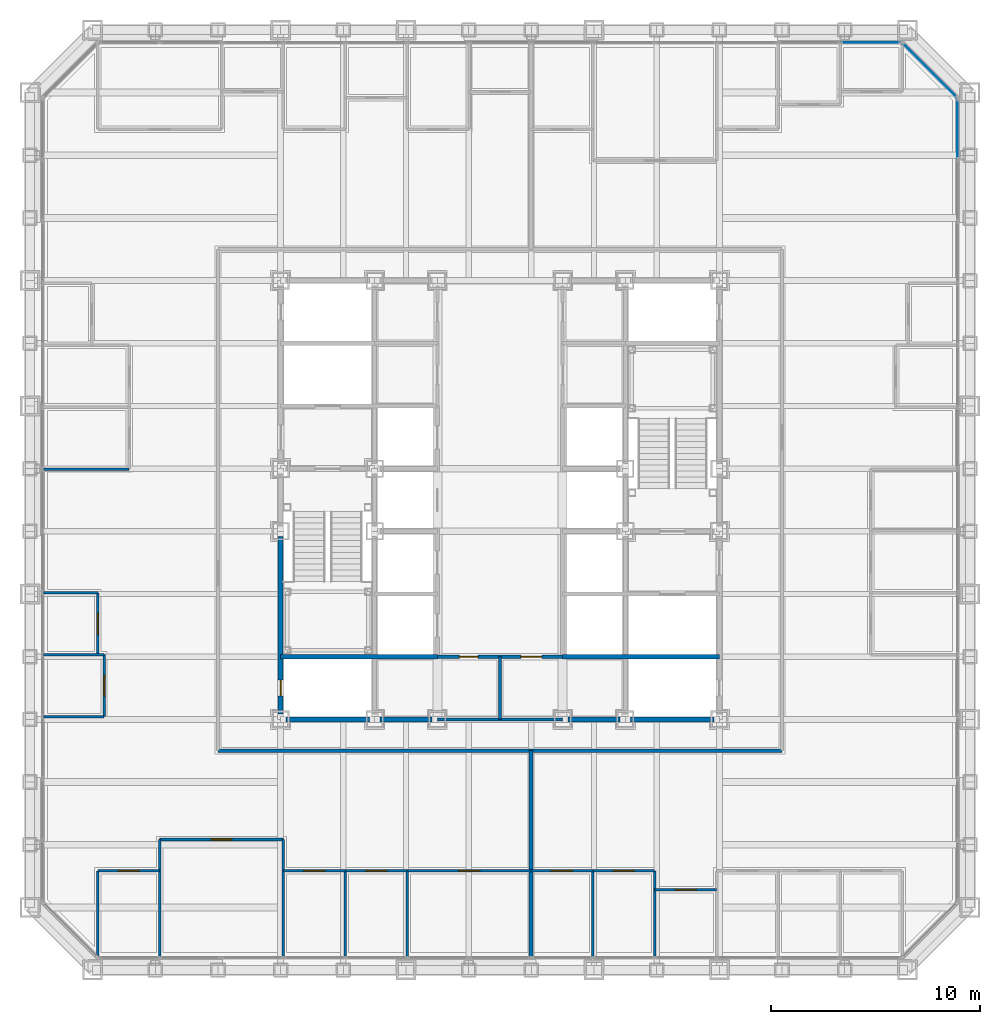
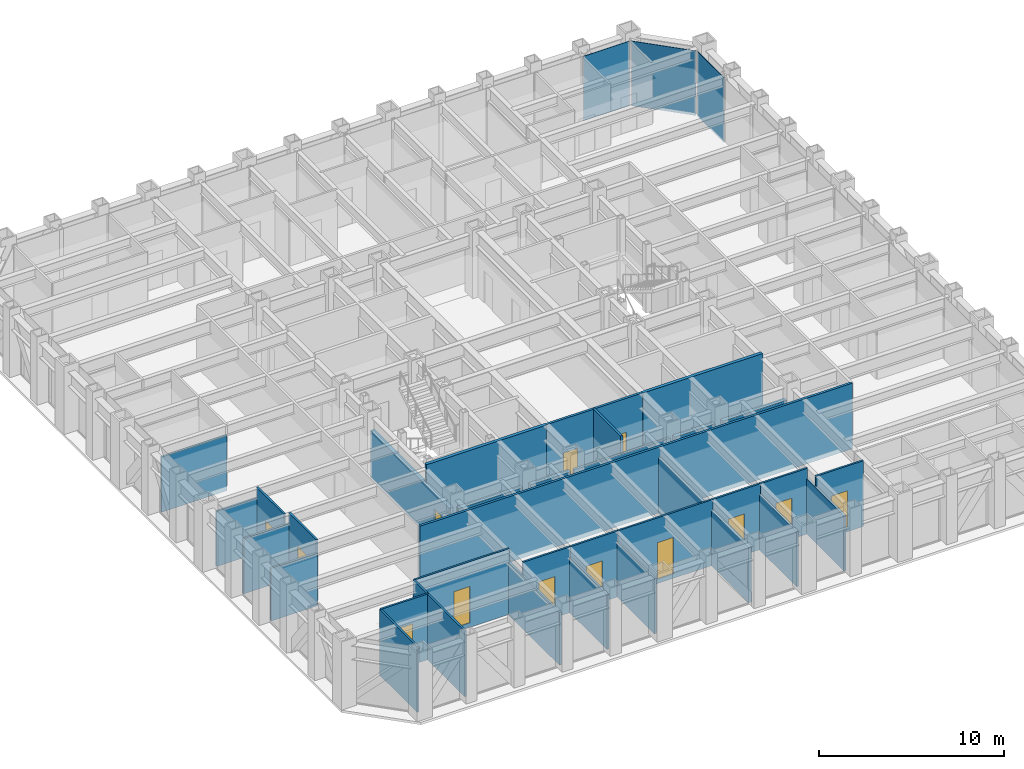
# One storey, part 8 of 16: 33 walls, 13 doors, 3 plates, 13 openings, 3 elements without a shape of their own.
"""IFC4 building model written with IfcOpenShell, lengths in metres."""

from ifc_helpers import new_model, si_unit, direction, frame, frame_2d, origin, origin_2d, place, context, subcontext, project, spatial, rectangle, extrude, material, layer, layer_set, type_object, element, fill, aggregate, save


model = new_model("IFC4")

# Units and contexts
model_context = context("Model", 3, precision=1e-05, world=origin(), true_north=direction((0.0, 1.0)))
body_context = subcontext(model_context, "Body", "Model", "MODEL_VIEW")
ifc_project = project(units=[si_unit("LENGTHUNIT", "METRE"), si_unit("AREAUNIT", "SQUARE_METRE"), si_unit("VOLUMEUNIT", "CUBIC_METRE"), si_unit("PLANEANGLEUNIT", "RADIAN"), si_unit("MASSUNIT", "GRAM", prefix="KILO")], contexts=[model_context])

# Site, building, storey
site_placement = place(None, origin())
site = spatial("IfcSite", under=ifc_project, at=site_placement, CompositionType="ELEMENT")
building_placement = place(site_placement, origin())
building = spatial("IfcBuilding", under=site, at=building_placement, Name="Chuquiago Exchange Tower", CompositionType="ELEMENT")
storey_placement = place(building_placement, frame((0.0, 0.0, 60.300048828125)))
storey = spatial("IfcBuildingStorey", under=building, at=storey_placement, Name="L12", CompositionType="ELEMENT", Elevation=60.300048828125)

# Curtain wall, plate
ifc_material_1 = material(Name="Aluminium curtain wall system", Category="aluminium")
ifc_layer_1 = layer(ifc_material_1, 0.25)
ifc_layer_set_1 = layer_set([ifc_layer_1], Name="CW1 trading floor curtain wall")
curtain_wall_type_1 = type_object("IfcCurtainWallType", Name="CW1 trading floor curtain wall", PredefinedType="NOTDEFINED", material=ifc_layer_set_1)
curtain_wall_1_placement = place(storey_placement, origin())
curtain_wall_1 = element("IfcCurtainWall", 1, at=curtain_wall_1_placement, inside=storey, type_object=curtain_wall_type_1, Name="CW1 curtain wall L12", PredefinedType="NOTDEFINED")
ifc_material_2 = material(Name="Insulated spandrel panel, pale anodised aluminium", Category="aluminium")
ifc_layer_2 = layer(ifc_material_2, 0.031982421875)
ifc_layer_set_2 = layer_set([ifc_layer_2], Name="CW1-P spandrel panel 32")
plate_type_1 = type_object("IfcPlateType", Name="CW1-P spandrel panel 32", PredefinedType="CURTAIN_PANEL", material=ifc_layer_set_2)
plate_1_placement = place(storey_placement, frame((44.39990234375, 40.251953125, -0.22509765625), z_axis=(0.0, 0.0, 1.0), x_axis=(0.0, 1.0, 0.0)))
plate_1 = element("IfcPlate", 2, at=plate_1_placement, type_object=plate_type_1, Name="CW1 panel 13.1", PredefinedType="CURTAIN_PANEL", context=body_context, shape_type="SweptSolid", body=[
    extrude(rectangle(XDim=2.849365234375, YDim=0.031982421875, at=origin_2d()), origin(), (0.0, 0.0, 1.0), 4.264892578125),
])
aggregate(curtain_wall_1, [plate_1])

curtain_wall_2_placement = place(storey_placement, origin())
curtain_wall_2 = element("IfcCurtainWall", 3, at=curtain_wall_2_placement, inside=storey, type_object=curtain_wall_type_1, Name="CW1 curtain wall L12", PredefinedType="NOTDEFINED")
plate_2_placement = place(storey_placement, frame((40.251953125, 44.39990234375, -0.22509765625), z_axis=(0.0, 0.0, 1.0), x_axis=(-1.0, 0.0, 0.0)))
plate_2 = element("IfcPlate", 4, at=plate_2_placement, type_object=plate_type_1, Name="CW1 panel 1.1", PredefinedType="CURTAIN_PANEL", context=body_context, shape_type="SweptSolid", body=[
    extrude(rectangle(XDim=2.849365234375, YDim=0.031982421875, at=origin_2d()), origin(), (0.0, 0.0, 1.0), 4.264892578125),
])
aggregate(curtain_wall_2, [plate_2])

ifc_material_3 = material(Name="Aluminium curtain wall system", Category="aluminium")
ifc_layer_3 = layer(ifc_material_3, 0.199951171875)
ifc_layer_set_3 = layer_set([ifc_layer_3], Name="CW3 facet curtain wall")
curtain_wall_type_2 = type_object("IfcCurtainWallType", Name="CW3 facet curtain wall", PredefinedType="NOTDEFINED", material=ifc_layer_set_3)
curtain_wall_3_placement = place(storey_placement, origin())
curtain_wall_3 = element("IfcCurtainWall", 5, at=curtain_wall_3_placement, inside=storey, type_object=curtain_wall_type_2, Name="CW3 curtain wall L12", PredefinedType="NOTDEFINED")
ifc_material_4 = material(Name="Insulated spandrel panel, pale anodised aluminium", Category="aluminium")
ifc_layer_4 = layer(ifc_material_4, 0.030029296875)
ifc_layer_set_4 = layer_set([ifc_layer_4], Name="CW3-P spandrel panel 30")
plate_type_2 = type_object("IfcPlateType", Name="CW3-P spandrel panel 30", PredefinedType="CURTAIN_PANEL", material=ifc_layer_set_4)
plate_3_placement = place(storey_placement, frame((43.07568359375, 43.07568359375, -0.235107421875), z_axis=(0.0, 0.0, 1.0), x_axis=(-0.707106781187, 0.707106781187, 0.0)))
plate_3 = element("IfcPlate", 6, at=plate_3_placement, type_object=plate_type_2, Name="CW3 panel 1.1", PredefinedType="CURTAIN_PANEL", context=body_context, shape_type="SweptSolid", body=[
    extrude(rectangle(XDim=3.615478515625, YDim=0.030029296875, at=origin_2d()), origin(), (0.0, 0.0, 1.0), 4.27490234375),
])
aggregate(curtain_wall_3, [plate_3])

# Wall, opening, door
ifc_material_5 = material(Name="Concrete masonry, fully grouted", Category="masonry")
ifc_layer_5 = layer(ifc_material_5, 0.25)
ifc_layer_set_5 = layer_set([ifc_layer_5], Name="W1 core wall 250")
wall_type_1 = type_object("IfcWallType", Name="W1 core wall 250", PredefinedType="SOLIDWALL", material=ifc_layer_set_5)
wall_1_placement = place(storey_placement, frame((12.0, 12.25, 0.0), z_axis=(0.0, 0.0, 1.0), x_axis=(0.0, 1.0, 0.0)))
wall_1 = element("IfcWall", 7, at=wall_1_placement, inside=storey, type_object=wall_type_1, Name="CW-L12-00-0", PredefinedType="SOLIDWALL", context=body_context, shape_type="SweptSolid", body=[
    extrude(rectangle(XDim=8.5, YDim=0.25, at=frame_2d((4.25, 0.0))), origin(), (0.0, 0.0, 1.0), 3.11279296875),
])
opening_1_placement = place(wall_1_placement, frame((0.875, 0.0, 0.0)))
opening_1 = element("IfcOpeningElement", 8, at=opening_1_placement, cuts=wall_1, Name="Opening L12-007", PredefinedType="OPENING", context=body_context, shape_type="SweptSolid", body=[
    extrude(rectangle(XDim=0.75, YDim=2.10009765625, at=frame_2d((0.375, 1.050048828125))), frame((0.0, 0.135009765625, 0.0), z_axis=(0.0, -1.0, 0.0), x_axis=(1.0, 0.0, 0.0)), (0.0, 0.0, 1.0), 0.27001953125),
])
ifc_material_6 = material(Name="Steel door, painted", Category="steel")
door_type_1 = type_object("IfcDoorType", Name="D6 riser access door 750x2100", OperationType="SINGLE_SWING_LEFT", PredefinedType="DOOR", material=ifc_material_6)
door_1_placement = place(opening_1_placement, origin())
door_1 = element("IfcDoor", 9, at=door_1_placement, inside=storey, type_object=door_type_1, Name="Riser RW1 door", OperationType="SINGLE_SWING_LEFT", OverallHeight=2.10009765625, OverallWidth=0.75, PredefinedType="DOOR", context=body_context, shape_type="SweptSolid", body=[
    extrude(rectangle(XDim=0.75, YDim=2.10009765625, at=frame_2d((0.375, 1.050048828125))), frame((0.0, 0.02490234375, 0.0), z_axis=(0.0, -1.0, 0.0), x_axis=(1.0, 0.0, 0.0)), (0.0, 0.0, 1.0), 0.050048828125),
])
fill(opening_1, door_1)

# Walls
wall_2_placement = place(storey_placement, frame((12.25, 12.0, 0.0), z_axis=(0.0, 0.0, 1.0), x_axis=(1.0, 0.0, 0.0)))
element("IfcWall", 10, at=wall_2_placement, inside=storey, type_object=wall_type_1, Name="CW-L12-01-0", PredefinedType="SOLIDWALL", context=body_context, shape_type="SweptSolid", body=[
    extrude(rectangle(XDim=4.0, YDim=0.25, at=frame_2d((2.0, 0.0))), origin(), (0.0, 0.0, 1.0), 3.181396484375),
])
for number, where, z_axis, x_axis, name in (
    (11, (16.75, 12.0, 0.0), (0.0, 0.0, 1.0), (1.0, 0.0, 0.0), "CW-L12-01-1"),
    (12, (25.75, 12.0, 0.0), (0.0, 0.0, 1.0), (1.0, 0.0, 0.0), "CW-L12-02-0"),
):
    element("IfcWall", number, at=place(storey_placement, frame(where, z_axis=z_axis, x_axis=x_axis)), inside=storey, type_object=wall_type_1, Name=name, PredefinedType="SOLIDWALL", context=body_context, shape_type="SweptSolid", body=[
        extrude(rectangle(XDim=2.5, YDim=0.25, at=frame_2d((1.25, 0.0))), origin(), (0.0, 0.0, 1.0), 3.181396484375),
    ])
wall_3_placement = place(storey_placement, frame((28.75, 12.0, 0.0), z_axis=(0.0, 0.0, 1.0), x_axis=(1.0, 0.0, 0.0)))
element("IfcWall", 13, at=wall_3_placement, inside=storey, type_object=wall_type_1, Name="CW-L12-02-1", PredefinedType="SOLIDWALL", context=body_context, shape_type="SweptSolid", body=[
    extrude(rectangle(XDim=4.0, YDim=0.25, at=frame_2d((2.0, 0.0))), origin(), (0.0, 0.0, 1.0), 3.181396484375),
])
ifc_material_7 = material(Name="Gypsum board on steel studs, acoustic insulation", Category="steel")
ifc_layer_6 = layer(ifc_material_7, 0.14990234375)
ifc_layer_set_6 = layer_set([ifc_layer_6], Name="W11 corridor wall 150")
wall_type_2 = type_object("IfcWallType", Name="W11 corridor wall 150", PredefinedType="PARTITIONING", material=ifc_layer_set_6)
wall_4_placement = place(storey_placement, frame((9.0, 10.5, -0.300048828125), z_axis=(0.0, 0.0, 1.0), x_axis=(1.0, 0.0, 0.0)))
element("IfcWall", 14, at=wall_4_placement, inside=storey, type_object=wall_type_2, Name="PW-L12-CS", PredefinedType="PARTITIONING", context=body_context, shape_type="SweptSolid", body=[
    extrude(rectangle(XDim=27.0, YDim=0.14990234375, at=frame_2d((13.5, 0.0))), origin(), (0.0, 0.0, 1.0), 4.340087890625),
])
ifc_material_8 = material(Name="Gypsum board on twin steel studs, acoustic insulation", Category="steel")
ifc_layer_7 = layer(ifc_material_8, 0.175048828125)
ifc_layer_set_7 = layer_set([ifc_layer_7], Name="W12 tenant demising wall 175")
wall_type_3 = type_object("IfcWallType", Name="W12 tenant demising wall 175", PredefinedType="PARTITIONING", material=ifc_layer_set_7)
wall_5_placement = place(storey_placement, frame((23.98095703125, 0.657470703125, -0.300048828125), z_axis=(0.0, 0.0, 1.0), x_axis=(0.0, 1.0, 0.0)))
element("IfcWall", 15, at=wall_5_placement, inside=storey, type_object=wall_type_3, Name="PW-L12-DS02398", PredefinedType="PARTITIONING", context=body_context, shape_type="SweptSolid", body=[
    extrude(rectangle(XDim=9.842529296875, YDim=0.175048828125, at=frame_2d((4.92138671875, 0.0))), origin(), (0.0, 0.0, 1.0), 3.646484375),
])
ifc_material_9 = material(Name="Concrete masonry, fully grouted", Category="masonry")
ifc_layer_8 = layer(ifc_material_9, 0.199951171875)
ifc_layer_set_8 = layer_set([ifc_layer_8], Name="W2 shaft wall 200")
wall_type_4 = type_object("IfcWallType", Name="W2 shaft wall 200", PredefinedType="SOLIDWALL", material=ifc_layer_set_8)
for number, where, z_axis, x_axis, name in (
    (16, (12.0, 15.0, 0.0), (0.0, 0.0, 1.0), (1.0, 0.0, 0.0), "CW-L12-03-0"),
    (17, (25.5, 15.0, 0.0), (0.0, 0.0, 1.0), (1.0, 0.0, 0.0), "CW-L12-04-0"),
):
    element("IfcWall", number, at=place(storey_placement, frame(where, z_axis=z_axis, x_axis=x_axis)), inside=storey, type_object=wall_type_4, Name=name, PredefinedType="SOLIDWALL", context=body_context, shape_type="SweptSolid", body=[
        extrude(rectangle(XDim=7.5, YDim=0.199951171875, at=frame_2d((3.75, 0.0))), origin(), (0.0, 0.0, 1.0), 4.33984375),
    ])

# Wall, openings, doors
ifc_material_10 = material(Name="Gypsum board on steel studs", Category="steel")
ifc_layer_9 = layer(ifc_material_10, 0.14990234375)
ifc_layer_set_9 = layer_set([ifc_layer_9], Name="W3 core partition 150")
wall_type_5 = type_object("IfcWallType", Name="W3 core partition 150", PredefinedType="PARTITIONING", material=ifc_layer_set_9)
wall_6_placement = place(storey_placement, frame((19.5, 15.0, 0.0), z_axis=(0.0, 0.0, 1.0), x_axis=(1.0, 0.0, 0.0)))
wall_6 = element("IfcWall", 18, at=wall_6_placement, inside=storey, type_object=wall_type_5, Name="CW-L12-TF", PredefinedType="PARTITIONING", context=body_context, shape_type="SweptSolid", body=[
    extrude(rectangle(XDim=6.0, YDim=0.14990234375, at=frame_2d((3.0, 0.0))), origin(), (0.0, 0.0, 1.0), 4.33984375),
])
opening_2_placement = place(wall_6_placement, frame((4.0, 0.0, 0.0)))
opening_2 = element("IfcOpeningElement", 19, at=opening_2_placement, cuts=wall_6, Name="Opening L12-015", PredefinedType="OPENING", context=body_context, shape_type="SweptSolid", body=[
    extrude(rectangle(XDim=1.0, YDim=2.10009765625, at=frame_2d((0.5, 1.050048828125))), frame((0.0, 0.0849609375, 0.0), z_axis=(0.0, -1.0, 0.0), x_axis=(1.0, 0.0, 0.0)), (0.0, 0.0, 1.0), 0.169921875),
])
opening_3_placement = place(wall_6_placement, frame((1.050048828125, 0.0, 0.0)))
opening_3 = element("IfcOpeningElement", 20, at=opening_3_placement, cuts=wall_6, Name="Opening L12-016", PredefinedType="OPENING", context=body_context, shape_type="SweptSolid", body=[
    extrude(rectangle(XDim=0.89990234375, YDim=2.10009765625, at=frame_2d((0.449951171875, 1.050048828125))), frame((0.0, 0.0849609375, 0.0), z_axis=(0.0, -1.0, 0.0), x_axis=(1.0, 0.0, 0.0)), (0.0, 0.0, 1.0), 0.169921875),
])
ifc_material_11 = material(Name="Timber door, laminate faced", Category="wood")
door_type_2 = type_object("IfcDoorType", Name="D7 toilet door 900x2100", OperationType="SINGLE_SWING_LEFT", PredefinedType="DOOR", material=ifc_material_11)
door_2_placement = place(opening_3_placement, origin())
door_2 = element("IfcDoor", 21, at=door_2_placement, inside=storey, type_object=door_type_2, Name="Cleaner door", OperationType="SINGLE_SWING_LEFT", OverallHeight=2.10009765625, OverallWidth=0.89990234375, PredefinedType="DOOR", context=body_context, shape_type="SweptSolid", body=[
    extrude(rectangle(XDim=0.89990234375, YDim=2.10009765625, at=frame_2d((0.449951171875, 1.050048828125))), frame((0.0, 0.02490234375, 0.0), z_axis=(0.0, -1.0, 0.0), x_axis=(1.0, 0.0, 0.0)), (0.0, 0.0, 1.0), 0.050048828125),
])
fill(opening_3, door_2)
ifc_material_12 = material(Name="Timber door, laminate faced", Category="wood")
door_type_3 = type_object("IfcDoorType", Name="D8 accessible toilet door 1000x2100", OperationType="SLIDING_TO_LEFT", PredefinedType="DOOR", material=ifc_material_12)
door_3_placement = place(opening_2_placement, origin())
door_3 = element("IfcDoor", 22, at=door_3_placement, inside=storey, type_object=door_type_3, Name="Accessible WC door", OperationType="SLIDING_TO_LEFT", OverallHeight=2.10009765625, OverallWidth=1.0, PredefinedType="DOOR", context=body_context, shape_type="SweptSolid", body=[
    extrude(rectangle(XDim=1.0, YDim=2.10009765625, at=frame_2d((0.5, 1.050048828125))), frame((0.0, 0.02490234375, 0.0), z_axis=(0.0, -1.0, 0.0), x_axis=(1.0, 0.0, 0.0)), (0.0, 0.0, 1.0), 0.050048828125),
])
fill(opening_2, door_3)

# Walls
wall_7_placement = place(storey_placement, frame((22.5, 15.0, 0.0), z_axis=(0.0, 0.0, 1.0), x_axis=(0.0, -1.0, 0.0)))
element("IfcWall", 23, at=wall_7_placement, inside=storey, type_object=wall_type_5, Name="CW-L12-TM", PredefinedType="PARTITIONING", context=body_context, shape_type="SweptSolid", body=[
    extrude(rectangle(XDim=3.0, YDim=0.14990234375, at=frame_2d((1.5, 0.0))), origin(), (0.0, 0.0, 1.0), 4.33984375),
])
wall_8_placement = place(storey_placement, frame((19.5, 12.0, 0.0), z_axis=(0.0, 0.0, 1.0), x_axis=(1.0, 0.0, 0.0)))
element("IfcWall", 24, at=wall_8_placement, inside=storey, type_object=wall_type_5, Name="CW-L12-TB", PredefinedType="PARTITIONING", context=body_context, shape_type="SweptSolid", body=[
    extrude(rectangle(XDim=6.0, YDim=0.14990234375, at=frame_2d((3.0, 0.0))), origin(), (0.0, 0.0, 1.0), 3.181396484375),
])
ifc_material_13 = material(Name="Gypsum board on steel studs", Category="steel")
ifc_layer_10 = layer(ifc_material_13, 0.1201171875)
ifc_layer_set_10 = layer_set([ifc_layer_10], Name="W4 partition 120")
wall_type_6 = type_object("IfcWallType", Name="W4 partition 120", PredefinedType="PARTITIONING", material=ifc_layer_set_10)
wall_9_placement = place(storey_placement, frame((3.24853515625, 0.666015625, -0.300048828125), z_axis=(0.0, 0.0, 1.0), x_axis=(0.0, 1.0, 0.0)))
element("IfcWall", 25, at=wall_9_placement, inside=storey, type_object=wall_type_6, Name="PW-L12-S00325", PredefinedType="PARTITIONING", context=body_context, shape_type="SweptSolid", body=[
    extrude(rectangle(XDim=4.083984375, YDim=0.1201171875, at=frame_2d((2.0419921875, 0.0))), origin(), (0.0, 0.0, 1.0), 4.340087890625),
])
wall_10_placement = place(storey_placement, frame((6.210205078125, 0.657470703125, -0.300048828125), z_axis=(0.0, 0.0, 1.0), x_axis=(0.0, 1.0, 0.0)))
element("IfcWall", 26, at=wall_10_placement, inside=storey, type_object=wall_type_6, Name="PW-L12-S00621", PredefinedType="PARTITIONING", context=body_context, shape_type="SweptSolid", body=[
    extrude(rectangle(XDim=5.592529296875, YDim=0.1201171875, at=frame_2d((2.79638671875, 0.0))), origin(), (0.0, 0.0, 1.0), 4.340087890625),
])
wall_11_placement = place(storey_placement, frame((12.1337890625, 0.657470703125, -0.300048828125), z_axis=(0.0, 0.0, 1.0), x_axis=(0.0, 1.0, 0.0)))
element("IfcWall", 27, at=wall_11_placement, inside=storey, type_object=wall_type_6, Name="PW-L12-S01213", PredefinedType="PARTITIONING", context=body_context, shape_type="SweptSolid", body=[
    extrude(rectangle(XDim=5.592529296875, YDim=0.1201171875, at=frame_2d((2.79638671875, 0.0))), origin(), (0.0, 0.0, 1.0), 3.4814453125),
])
for number, where, z_axis, x_axis, name in (
    (28, (15.095703125, 0.657470703125, -0.300048828125), (0.0, 0.0, 1.0), (0.0, 1.0, 0.0), "PW-L12-S01510"),
    (29, (18.057373046875, 0.657470703125, -0.300048828125), (0.0, 0.0, 1.0), (0.0, 1.0, 0.0), "PW-L12-S01806"),
    (30, (26.942626953125, 0.657470703125, -0.300048828125), (0.0, 0.0, 1.0), (0.0, 1.0, 0.0), "PW-L12-S02694"),
    (31, (29.904296875, 0.657470703125, -0.300048828125), (0.0, 0.0, 1.0), (0.0, 1.0, 0.0), "PW-L12-S02990"),
):
    element("IfcWall", number, at=place(storey_placement, frame(where, z_axis=z_axis, x_axis=x_axis)), inside=storey, type_object=wall_type_6, Name=name, PredefinedType="PARTITIONING", context=body_context, shape_type="SweptSolid", body=[
        extrude(rectangle(XDim=4.092529296875, YDim=0.1201171875, at=frame_2d((2.04638671875, 0.0))), origin(), (0.0, 0.0, 1.0), 3.646484375),
    ])

# Wall, opening, door
wall_12_placement = place(storey_placement, frame((3.24853515625, 4.75, -0.300048828125), z_axis=(0.0, 0.0, 1.0), x_axis=(1.0, 0.0, 0.0)))
wall_12 = element("IfcWall", 32, at=wall_12_placement, inside=storey, type_object=wall_type_6, Name="PW-L12-SF00325", PredefinedType="PARTITIONING", context=body_context, shape_type="SweptSolid", body=[
    extrude(rectangle(XDim=2.961669921875, YDim=0.1201171875, at=frame_2d((1.48095703125, 0.0))), origin(), (0.0, 0.0, 1.0), 4.340087890625),
])
opening_4_placement = place(wall_12_placement, frame((0.98095703125, 0.0, 0.300048828125)))
opening_4 = element("IfcOpeningElement", 33, at=opening_4_placement, cuts=wall_12, Name="Opening L12-021", PredefinedType="OPENING", context=body_context, shape_type="SweptSolid", body=[
    extrude(rectangle(XDim=1.0, YDim=2.39990234375, at=frame_2d((0.5, 1.199951171875))), frame((0.0, 0.070068359375, 0.0), z_axis=(0.0, -1.0, 0.0), x_axis=(1.0, 0.0, 0.0)), (0.0, 0.0, 1.0), 0.14013671875),
])
ifc_material_14 = material(Name="Timber door, laminate faced", Category="wood")
door_type_4 = type_object("IfcDoorType", Name="D9 room door 1000x2400", OperationType="SINGLE_SWING_LEFT", PredefinedType="DOOR", material=ifc_material_14)
door_4_placement = place(opening_4_placement, frame((1.0, 0.0, 0.0), z_axis=(0.0, 0.0, 1.0), x_axis=(-1.0, 0.0, 0.0)))
door_4 = element("IfcDoor", 34, at=door_4_placement, inside=storey, type_object=door_type_4, Name="Trading support room door", OperationType="SINGLE_SWING_RIGHT", OverallHeight=2.39990234375, OverallWidth=1.0, PredefinedType="DOOR", context=body_context, shape_type="SweptSolid", body=[
    extrude(rectangle(XDim=1.0, YDim=2.39990234375, at=frame_2d((0.5, 1.199951171875))), frame((0.0, 0.02490234375, 0.0), z_axis=(0.0, -1.0, 0.0), x_axis=(1.0, 0.0, 0.0)), (0.0, 0.0, 1.0), 0.050048828125),
])
fill(opening_4, door_4)

wall_13_placement = place(storey_placement, frame((6.210205078125, 6.25, -0.300048828125), z_axis=(0.0, 0.0, 1.0), x_axis=(1.0, 0.0, 0.0)))
wall_13 = element("IfcWall", 35, at=wall_13_placement, inside=storey, type_object=wall_type_6, Name="PW-L12-SF00621", PredefinedType="PARTITIONING", context=body_context, shape_type="SweptSolid", body=[
    extrude(rectangle(XDim=5.923583984375, YDim=0.1201171875, at=frame_2d((2.9619140625, 0.0))), origin(), (0.0, 0.0, 1.0), 4.340087890625),
])
opening_5_placement = place(wall_13_placement, frame((2.4619140625, 0.0, 0.300048828125)))
opening_5 = element("IfcOpeningElement", 36, at=opening_5_placement, cuts=wall_13, Name="Opening L12-022", PredefinedType="OPENING", context=body_context, shape_type="SweptSolid", body=[
    extrude(rectangle(XDim=1.0, YDim=2.39990234375, at=frame_2d((0.5, 1.199951171875))), frame((0.0, 0.070068359375, 0.0), z_axis=(0.0, -1.0, 0.0), x_axis=(1.0, 0.0, 0.0)), (0.0, 0.0, 1.0), 0.14013671875),
])
door_5_placement = place(opening_5_placement, frame((1.0, 0.0, 0.0), z_axis=(0.0, 0.0, 1.0), x_axis=(-1.0, 0.0, 0.0)))
door_5 = element("IfcDoor", 37, at=door_5_placement, inside=storey, type_object=door_type_4, Name="Market data room door", OperationType="SINGLE_SWING_LEFT", OverallHeight=2.39990234375, OverallWidth=1.0, PredefinedType="DOOR", context=body_context, shape_type="SweptSolid", body=[
    extrude(rectangle(XDim=1.0, YDim=2.39990234375, at=frame_2d((0.5, 1.199951171875))), frame((0.0, 0.02490234375, 0.0), z_axis=(0.0, -1.0, 0.0), x_axis=(1.0, 0.0, 0.0)), (0.0, 0.0, 1.0), 0.050048828125),
])
fill(opening_5, door_5)

wall_14_placement = place(storey_placement, frame((12.1337890625, 4.75, -0.300048828125), z_axis=(0.0, 0.0, 1.0), x_axis=(1.0, 0.0, 0.0)))
wall_14 = element("IfcWall", 38, at=wall_14_placement, inside=storey, type_object=wall_type_6, Name="PW-L12-SF01213", PredefinedType="PARTITIONING", context=body_context, shape_type="SweptSolid", body=[
    extrude(rectangle(XDim=2.9619140625, YDim=0.1201171875, at=frame_2d((1.48095703125, 0.0))), origin(), (0.0, 0.0, 1.0), 4.340087890625),
])
opening_6_placement = place(wall_14_placement, frame((0.98095703125, 0.0, 0.300048828125)))
opening_6 = element("IfcOpeningElement", 39, at=opening_6_placement, cuts=wall_14, Name="Opening L12-023", PredefinedType="OPENING", context=body_context, shape_type="SweptSolid", body=[
    extrude(rectangle(XDim=1.0, YDim=2.39990234375, at=frame_2d((0.5, 1.199951171875))), frame((0.0, 0.070068359375, 0.0), z_axis=(0.0, -1.0, 0.0), x_axis=(1.0, 0.0, 0.0)), (0.0, 0.0, 1.0), 0.14013671875),
])
door_6_placement = place(opening_6_placement, frame((1.0, 0.0, 0.0), z_axis=(0.0, 0.0, 1.0), x_axis=(-1.0, 0.0, 0.0)))
door_6 = element("IfcDoor", 40, at=door_6_placement, inside=storey, type_object=door_type_4, Name="Office door", OperationType="SINGLE_SWING_LEFT", OverallHeight=2.39990234375, OverallWidth=1.0, PredefinedType="DOOR", context=body_context, shape_type="SweptSolid", body=[
    extrude(rectangle(XDim=1.0, YDim=2.39990234375, at=frame_2d((0.5, 1.199951171875))), frame((0.0, 0.02490234375, 0.0), z_axis=(0.0, -1.0, 0.0), x_axis=(1.0, 0.0, 0.0)), (0.0, 0.0, 1.0), 0.050048828125),
])
fill(opening_6, door_6)

wall_15_placement = place(storey_placement, frame((15.095703125, 4.75, -0.300048828125), z_axis=(0.0, 0.0, 1.0), x_axis=(1.0, 0.0, 0.0)))
wall_15 = element("IfcWall", 41, at=wall_15_placement, inside=storey, type_object=wall_type_6, Name="PW-L12-SF01510", PredefinedType="PARTITIONING", context=body_context, shape_type="SweptSolid", body=[
    extrude(rectangle(XDim=2.961669921875, YDim=0.1201171875, at=frame_2d((1.48095703125, 0.0))), origin(), (0.0, 0.0, 1.0), 4.340087890625),
])
opening_7_placement = place(wall_15_placement, frame((0.98095703125, 0.0, 0.300048828125)))
opening_7 = element("IfcOpeningElement", 42, at=opening_7_placement, cuts=wall_15, Name="Opening L12-024", PredefinedType="OPENING", context=body_context, shape_type="SweptSolid", body=[
    extrude(rectangle(XDim=1.0, YDim=2.39990234375, at=frame_2d((0.5, 1.199951171875))), frame((0.0, 0.070068359375, 0.0), z_axis=(0.0, -1.0, 0.0), x_axis=(1.0, 0.0, 0.0)), (0.0, 0.0, 1.0), 0.14013671875),
])
door_7_placement = place(opening_7_placement, frame((1.0, 0.0, 0.0), z_axis=(0.0, 0.0, 1.0), x_axis=(-1.0, 0.0, 0.0)))
door_7 = element("IfcDoor", 43, at=door_7_placement, inside=storey, type_object=door_type_4, Name="Office door", OperationType="SINGLE_SWING_RIGHT", OverallHeight=2.39990234375, OverallWidth=1.0, PredefinedType="DOOR", context=body_context, shape_type="SweptSolid", body=[
    extrude(rectangle(XDim=1.0, YDim=2.39990234375, at=frame_2d((0.5, 1.199951171875))), frame((0.0, 0.02490234375, 0.0), z_axis=(0.0, -1.0, 0.0), x_axis=(1.0, 0.0, 0.0)), (0.0, 0.0, 1.0), 0.050048828125),
])
fill(opening_7, door_7)

wall_16_placement = place(storey_placement, frame((18.057373046875, 4.75, -0.300048828125), z_axis=(0.0, 0.0, 1.0), x_axis=(1.0, 0.0, 0.0)))
wall_16 = element("IfcWall", 44, at=wall_16_placement, inside=storey, type_object=wall_type_6, Name="PW-L12-SF01806", PredefinedType="PARTITIONING", context=body_context, shape_type="SweptSolid", body=[
    extrude(rectangle(XDim=5.923583984375, YDim=0.1201171875, at=frame_2d((2.9619140625, 0.0))), origin(), (0.0, 0.0, 1.0), 4.340087890625),
])
opening_8_placement = place(wall_16_placement, frame((2.461669921875, 0.0, 0.300048828125)))
opening_8 = element("IfcOpeningElement", 45, at=opening_8_placement, cuts=wall_16, Name="Opening L12-025", PredefinedType="OPENING", context=body_context, shape_type="SweptSolid", body=[
    extrude(rectangle(XDim=1.0, YDim=2.39990234375, at=frame_2d((0.5, 1.199951171875))), frame((0.0, 0.070068359375, 0.0), z_axis=(0.0, -1.0, 0.0), x_axis=(1.0, 0.0, 0.0)), (0.0, 0.0, 1.0), 0.14013671875),
])
ifc_material_15 = material(Name="Timber frame door, full height glazed panel", Category="wood")
door_type_5 = type_object("IfcDoorType", Name="D14 glazed meeting room door 1000x2400", OperationType="SINGLE_SWING_LEFT", PredefinedType="DOOR", material=ifc_material_15)
door_8_placement = place(opening_8_placement, frame((1.0, 0.0, 0.0), z_axis=(0.0, 0.0, 1.0), x_axis=(-1.0, 0.0, 0.0)))
door_8 = element("IfcDoor", 46, at=door_8_placement, inside=storey, type_object=door_type_5, Name="Meeting room door", OperationType="SINGLE_SWING_LEFT", OverallHeight=2.39990234375, OverallWidth=1.0, PredefinedType="DOOR", context=body_context, shape_type="SweptSolid", body=[
    extrude(rectangle(XDim=1.0, YDim=2.39990234375, at=frame_2d((0.5, 1.199951171875))), frame((0.0, 0.02490234375, 0.0), z_axis=(0.0, -1.0, 0.0), x_axis=(1.0, 0.0, 0.0)), (0.0, 0.0, 1.0), 0.050048828125),
])
fill(opening_8, door_8)

wall_17_placement = place(storey_placement, frame((23.98095703125, 4.75, -0.300048828125), z_axis=(0.0, 0.0, 1.0), x_axis=(1.0, 0.0, 0.0)))
wall_17 = element("IfcWall", 47, at=wall_17_placement, inside=storey, type_object=wall_type_6, Name="PW-L12-SF02398", PredefinedType="PARTITIONING", context=body_context, shape_type="SweptSolid", body=[
    extrude(rectangle(XDim=2.961669921875, YDim=0.1201171875, at=frame_2d((1.48095703125, 0.0))), origin(), (0.0, 0.0, 1.0), 4.340087890625),
])
opening_9_placement = place(wall_17_placement, frame((0.98095703125, 0.0, 0.300048828125)))
opening_9 = element("IfcOpeningElement", 48, at=opening_9_placement, cuts=wall_17, Name="Opening L12-026", PredefinedType="OPENING", context=body_context, shape_type="SweptSolid", body=[
    extrude(rectangle(XDim=1.0, YDim=2.39990234375, at=frame_2d((0.5, 1.199951171875))), frame((0.0, 0.070068359375, 0.0), z_axis=(0.0, -1.0, 0.0), x_axis=(1.0, 0.0, 0.0)), (0.0, 0.0, 1.0), 0.14013671875),
])
door_9_placement = place(opening_9_placement, frame((1.0, 0.0, 0.0), z_axis=(0.0, 0.0, 1.0), x_axis=(-1.0, 0.0, 0.0)))
door_9 = element("IfcDoor", 49, at=door_9_placement, inside=storey, type_object=door_type_4, Name="Office door", OperationType="SINGLE_SWING_RIGHT", OverallHeight=2.39990234375, OverallWidth=1.0, PredefinedType="DOOR", context=body_context, shape_type="SweptSolid", body=[
    extrude(rectangle(XDim=1.0, YDim=2.39990234375, at=frame_2d((0.5, 1.199951171875))), frame((0.0, 0.02490234375, 0.0), z_axis=(0.0, -1.0, 0.0), x_axis=(1.0, 0.0, 0.0)), (0.0, 0.0, 1.0), 0.050048828125),
])
fill(opening_9, door_9)

wall_18_placement = place(storey_placement, frame((26.942626953125, 4.75, -0.300048828125), z_axis=(0.0, 0.0, 1.0), x_axis=(1.0, 0.0, 0.0)))
wall_18 = element("IfcWall", 50, at=wall_18_placement, inside=storey, type_object=wall_type_6, Name="PW-L12-SF02694", PredefinedType="PARTITIONING", context=body_context, shape_type="SweptSolid", body=[
    extrude(rectangle(XDim=2.961669921875, YDim=0.1201171875, at=frame_2d((1.48095703125, 0.0))), origin(), (0.0, 0.0, 1.0), 4.340087890625),
])
opening_10_placement = place(wall_18_placement, frame((0.98095703125, 0.0, 0.300048828125)))
opening_10 = element("IfcOpeningElement", 51, at=opening_10_placement, cuts=wall_18, Name="Opening L12-027", PredefinedType="OPENING", context=body_context, shape_type="SweptSolid", body=[
    extrude(rectangle(XDim=1.0, YDim=2.39990234375, at=frame_2d((0.5, 1.199951171875))), frame((0.0, 0.070068359375, 0.0), z_axis=(0.0, -1.0, 0.0), x_axis=(1.0, 0.0, 0.0)), (0.0, 0.0, 1.0), 0.14013671875),
])
door_10_placement = place(opening_10_placement, frame((1.0, 0.0, 0.0), z_axis=(0.0, 0.0, 1.0), x_axis=(-1.0, 0.0, 0.0)))
door_10 = element("IfcDoor", 52, at=door_10_placement, inside=storey, type_object=door_type_4, Name="Office door", OperationType="SINGLE_SWING_RIGHT", OverallHeight=2.39990234375, OverallWidth=1.0, PredefinedType="DOOR", context=body_context, shape_type="SweptSolid", body=[
    extrude(rectangle(XDim=1.0, YDim=2.39990234375, at=frame_2d((0.5, 1.199951171875))), frame((0.0, 0.02490234375, 0.0), z_axis=(0.0, -1.0, 0.0), x_axis=(1.0, 0.0, 0.0)), (0.0, 0.0, 1.0), 0.050048828125),
])
fill(opening_10, door_10)

wall_19_placement = place(storey_placement, frame((29.904296875, 3.85009765625, -0.300048828125), z_axis=(0.0, 0.0, 1.0), x_axis=(1.0, 0.0, 0.0)))
wall_19 = element("IfcWall", 53, at=wall_19_placement, inside=storey, type_object=wall_type_6, Name="PW-L12-SF02990", PredefinedType="PARTITIONING", context=body_context, shape_type="SweptSolid", body=[
    extrude(rectangle(XDim=2.9619140625, YDim=0.1201171875, at=frame_2d((1.48095703125, 0.0))), origin(), (0.0, 0.0, 1.0), 4.340087890625),
])
opening_11_placement = place(wall_19_placement, frame((0.98095703125, 0.0, 0.300048828125)))
opening_11 = element("IfcOpeningElement", 54, at=opening_11_placement, cuts=wall_19, Name="Opening L12-028", PredefinedType="OPENING", context=body_context, shape_type="SweptSolid", body=[
    extrude(rectangle(XDim=1.0, YDim=2.39990234375, at=frame_2d((0.5, 1.199951171875))), frame((0.0, 0.070068359375, 0.0), z_axis=(0.0, -1.0, 0.0), x_axis=(1.0, 0.0, 0.0)), (0.0, 0.0, 1.0), 0.14013671875),
])
door_11_placement = place(opening_11_placement, frame((1.0, 0.0, 0.0), z_axis=(0.0, 0.0, 1.0), x_axis=(-1.0, 0.0, 0.0)))
door_11 = element("IfcDoor", 55, at=door_11_placement, inside=storey, type_object=door_type_4, Name="Comms room door", OperationType="SINGLE_SWING_RIGHT", OverallHeight=2.39990234375, OverallWidth=1.0, PredefinedType="DOOR", context=body_context, shape_type="SweptSolid", body=[
    extrude(rectangle(XDim=1.0, YDim=2.39990234375, at=frame_2d((0.5, 1.199951171875))), frame((0.0, 0.02490234375, 0.0), z_axis=(0.0, -1.0, 0.0), x_axis=(1.0, 0.0, 0.0)), (0.0, 0.0, 1.0), 0.050048828125),
])
fill(opening_11, door_11)

# Walls
wall_20_placement = place(storey_placement, frame((0.657470703125, 12.1337890625, -0.300048828125), z_axis=(0.0, 0.0, 1.0), x_axis=(1.0, 0.0, 0.0)))
element("IfcWall", 56, at=wall_20_placement, inside=storey, type_object=wall_type_6, Name="PW-L12-W01213", PredefinedType="PARTITIONING", context=body_context, shape_type="SweptSolid", body=[
    extrude(rectangle(XDim=2.892578125, YDim=0.1201171875, at=frame_2d((1.4462890625, 0.0))), origin(), (0.0, 0.0, 1.0), 3.4814453125),
])
wall_21_placement = place(storey_placement, frame((0.657470703125, 15.095703125, -0.300048828125), z_axis=(0.0, 0.0, 1.0), x_axis=(1.0, 0.0, 0.0)))
element("IfcWall", 57, at=wall_21_placement, inside=storey, type_object=wall_type_6, Name="PW-L12-W01510", PredefinedType="PARTITIONING", context=body_context, shape_type="SweptSolid", body=[
    extrude(rectangle(XDim=2.892578125, YDim=0.1201171875, at=frame_2d((1.4462890625, 0.0))), origin(), (0.0, 0.0, 1.0), 3.646484375),
])
wall_22_placement = place(storey_placement, frame((0.657470703125, 18.057373046875, -0.300048828125), z_axis=(0.0, 0.0, 1.0), x_axis=(1.0, 0.0, 0.0)))
element("IfcWall", 58, at=wall_22_placement, inside=storey, type_object=wall_type_6, Name="PW-L12-W01806", PredefinedType="PARTITIONING", context=body_context, shape_type="SweptSolid", body=[
    extrude(rectangle(XDim=2.592529296875, YDim=0.1201171875, at=frame_2d((1.29638671875, 0.0))), origin(), (0.0, 0.0, 1.0), 3.646484375),
])
wall_23_placement = place(storey_placement, frame((0.657470703125, 23.98095703125, -0.300048828125), z_axis=(0.0, 0.0, 1.0), x_axis=(1.0, 0.0, 0.0)))
element("IfcWall", 59, at=wall_23_placement, inside=storey, type_object=wall_type_6, Name="PW-L12-W02398", PredefinedType="PARTITIONING", context=body_context, shape_type="SweptSolid", body=[
    extrude(rectangle(XDim=4.092529296875, YDim=0.1201171875, at=frame_2d((2.04638671875, 0.0))), origin(), (0.0, 0.0, 1.0), 3.646484375),
])

# Wall, opening, door
wall_24_placement = place(storey_placement, frame((3.550048828125, 12.1337890625, -0.300048828125), z_axis=(0.0, 0.0, 1.0), x_axis=(0.0, 1.0, 0.0)))
wall_24 = element("IfcWall", 60, at=wall_24_placement, inside=storey, type_object=wall_type_6, Name="PW-L12-WF01213", PredefinedType="PARTITIONING", context=body_context, shape_type="SweptSolid", body=[
    extrude(rectangle(XDim=2.9619140625, YDim=0.1201171875, at=frame_2d((1.48095703125, 0.0))), origin(), (0.0, 0.0, 1.0), 4.340087890625),
])
opening_12_placement = place(wall_24_placement, frame((0.98095703125, 0.0, 0.300048828125)))
opening_12 = element("IfcOpeningElement", 61, at=opening_12_placement, cuts=wall_24, Name="Opening L12-048", PredefinedType="OPENING", context=body_context, shape_type="SweptSolid", body=[
    extrude(rectangle(XDim=1.0, YDim=2.39990234375, at=frame_2d((0.5, 1.199951171875))), frame((0.0, 0.070068359375, 0.0), z_axis=(0.0, -1.0, 0.0), x_axis=(1.0, 0.0, 0.0)), (0.0, 0.0, 1.0), 0.14013671875),
])
door_12_placement = place(opening_12_placement, origin())
door_12 = element("IfcDoor", 62, at=door_12_placement, inside=storey, type_object=door_type_4, Name="Pantry door", OperationType="SINGLE_SWING_RIGHT", OverallHeight=2.39990234375, OverallWidth=1.0, PredefinedType="DOOR", context=body_context, shape_type="SweptSolid", body=[
    extrude(rectangle(XDim=1.0, YDim=2.39990234375, at=frame_2d((0.5, 1.199951171875))), frame((0.0, 0.02490234375, 0.0), z_axis=(0.0, -1.0, 0.0), x_axis=(1.0, 0.0, 0.0)), (0.0, 0.0, 1.0), 0.050048828125),
])
fill(opening_12, door_12)

wall_25_placement = place(storey_placement, frame((3.25, 15.095703125, -0.300048828125), z_axis=(0.0, 0.0, 1.0), x_axis=(0.0, 1.0, 0.0)))
wall_25 = element("IfcWall", 63, at=wall_25_placement, inside=storey, type_object=wall_type_6, Name="PW-L12-WF01510", PredefinedType="PARTITIONING", context=body_context, shape_type="SweptSolid", body=[
    extrude(rectangle(XDim=2.961669921875, YDim=0.1201171875, at=frame_2d((1.48095703125, 0.0))), origin(), (0.0, 0.0, 1.0), 4.340087890625),
])
opening_13_placement = place(wall_25_placement, frame((0.98095703125, 0.0, 0.300048828125)))
opening_13 = element("IfcOpeningElement", 64, at=opening_13_placement, cuts=wall_25, Name="Opening L12-049", PredefinedType="OPENING", context=body_context, shape_type="SweptSolid", body=[
    extrude(rectangle(XDim=1.0, YDim=2.39990234375, at=frame_2d((0.5, 1.199951171875))), frame((0.0, 0.070068359375, 0.0), z_axis=(0.0, -1.0, 0.0), x_axis=(1.0, 0.0, 0.0)), (0.0, 0.0, 1.0), 0.14013671875),
])
door_13_placement = place(opening_13_placement, origin())
door_13 = element("IfcDoor", 65, at=door_13_placement, inside=storey, type_object=door_type_4, Name="Store door", OperationType="SINGLE_SWING_LEFT", OverallHeight=2.39990234375, OverallWidth=1.0, PredefinedType="DOOR", context=body_context, shape_type="SweptSolid", body=[
    extrude(rectangle(XDim=1.0, YDim=2.39990234375, at=frame_2d((0.5, 1.199951171875))), frame((0.0, 0.02490234375, 0.0), z_axis=(0.0, -1.0, 0.0), x_axis=(1.0, 0.0, 0.0)), (0.0, 0.0, 1.0), 0.050048828125),
])
fill(opening_13, door_13)

save(model, "model.ifc")
